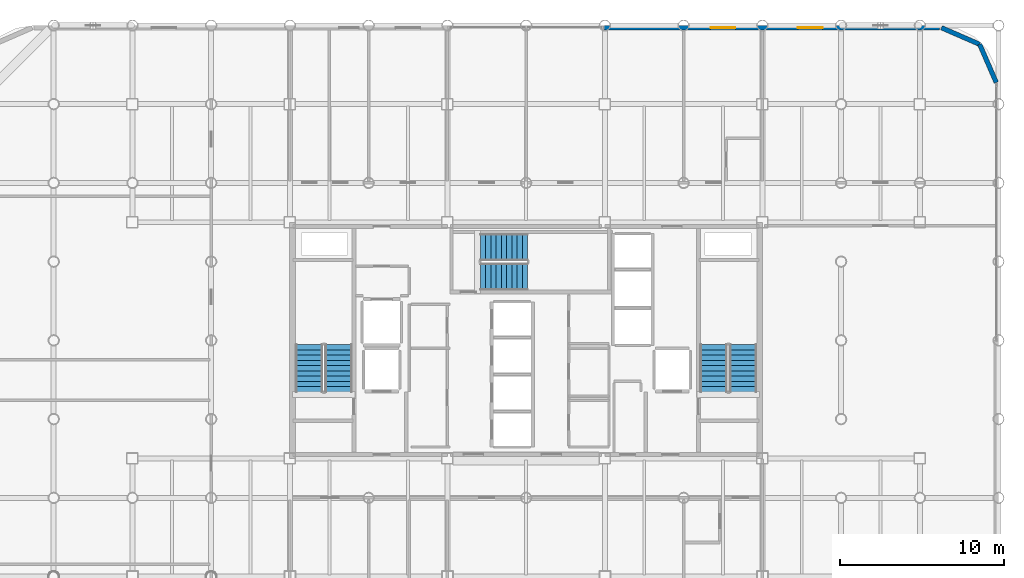
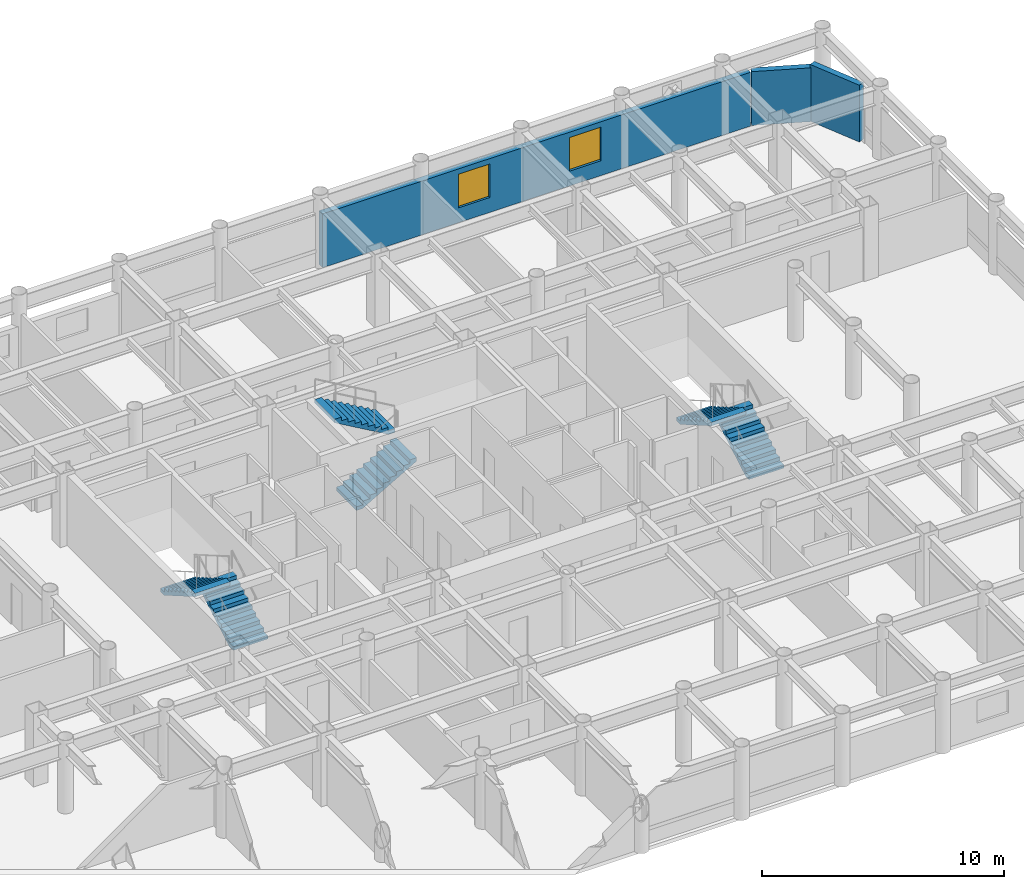
# One storey, part 19 of 20: 6 stair flights, 3 walls, 2 windows, 2 openings, 3 elements without a shape of their own.
"""IFC4 building model written with IfcOpenShell, lengths in metres."""

from ifc_helpers import new_model, si_unit, direction, frame, frame_2d, origin, place, context, subcontext, project, spatial, polyline, rectangle, outline, extrude, material, layer, layer_set, type_object, element, fill, aggregate, save


model = new_model("IFC4")

# Units and contexts
model_context = context("Model", 3, precision=1e-05, world=origin(), true_north=direction((0.0, 1.0)))
body_context = subcontext(model_context, "Body", "Model", "MODEL_VIEW")
ifc_project = project(units=[si_unit("LENGTHUNIT", "METRE"), si_unit("AREAUNIT", "SQUARE_METRE"), si_unit("VOLUMEUNIT", "CUBIC_METRE"), si_unit("PLANEANGLEUNIT", "RADIAN"), si_unit("MASSUNIT", "GRAM", prefix="KILO")], contexts=[model_context])

# Site, building, storey
site_placement = place(None, origin())
site = spatial("IfcSite", under=ifc_project, at=site_placement, CompositionType="ELEMENT")
building_placement = place(site_placement, origin())
building = spatial("IfcBuilding", under=site, at=building_placement, Name="Kallvorn Hotel Tower", CompositionType="ELEMENT")
storey_placement = place(building_placement, frame((0.0, 0.0, 172.89990234375)))
storey = spatial("IfcBuildingStorey", under=building, at=storey_placement, Name="L43", CompositionType="ELEMENT", Elevation=172.89990234375)

# Walls
ifc_material_1 = material(Name="Precast basalt-clad insulated concrete wall C40/50", Category="masonry")
ifc_layer = layer(ifc_material_1, 0.280029296875)
ifc_layer_set = layer_set([ifc_layer], Name="WL_EXT_LOGGIA_280")
wall_type = type_object("IfcWallType", Name="WL_EXT_LOGGIA_280", PredefinedType="SOLIDWALL", material=ifc_layer_set)
wall_1_placement = place(storey_placement, frame((28.657958984375, 15.720703125, 0.0), z_axis=(0.0, 0.0, 1.0), x_axis=(-0.398792985289, 0.917040977756, 0.0)))
element("IfcWall", 1, at=wall_1_placement, inside=storey, type_object=wall_type, Name="L43 Rounded Corner Exterior Wall NE1", PredefinedType="SOLIDWALL", context=body_context, shape_type="SweptSolid", body=[
    extrude(rectangle(XDim=2.536376953125, YDim=0.280029296875, at=frame_2d((1.26806640625, 0.0))), origin(), (0.0, 0.0, 1.0), 2.8701171875),
])
wall_2_placement = place(storey_placement, frame((27.646484375, 18.046630859375, 0.0), z_axis=(0.0, 0.0, 1.0), x_axis=(-0.917060872934, 0.398747232384, 0.0)))
element("IfcWall", 2, at=wall_2_placement, inside=storey, type_object=wall_type, Name="L43 Rounded Corner Exterior Wall NE2", PredefinedType="SOLIDWALL", context=body_context, shape_type="SweptSolid", body=[
    extrude(rectangle(XDim=2.5361328125, YDim=0.280029296875, at=frame_2d((1.26806640625, 0.0))), origin(), (0.0, 0.0, 1.0), 2.72021484375),
])

# Wall, openings, windows
wall_3_placement = place(storey_placement, frame((4.75, 19.06005859375, 0.0), z_axis=(0.0, 0.0, 1.0), x_axis=(1.0, 0.0, 0.0)))
wall_3 = element("IfcWall", 3, at=wall_3_placement, inside=storey, type_object=wall_type, Name="L43 Exterior Envelope Wall EW-L43-NE", PredefinedType="SOLIDWALL", context=body_context, shape_type="SweptSolid", body=[
    extrude(rectangle(XDim=20.449951171875, YDim=0.280029296875, at=frame_2d((10.22509765625, 0.0))), origin(), (0.0, 0.0, 1.0), 2.72021484375),
])
opening_1_placement = place(wall_3_placement, frame((11.81689453125, 0.0, 0.75)))
opening_1 = element("IfcOpeningElement", 4, at=opening_1_placement, cuts=wall_3, Name="Opening W05", PredefinedType="OPENING", context=body_context, shape_type="SweptSolid", body=[
    extrude(rectangle(XDim=1.5, YDim=1.699951171875, at=frame_2d((0.75, 0.85009765625))), frame((0.0, 0.155029296875, 0.0), z_axis=(0.0, -1.0, 0.0), x_axis=(1.0, 0.0, 0.0)), (0.0, 0.0, 1.0), 0.31005859375),
])
opening_2_placement = place(wall_3_placement, frame((6.5, 0.0, 0.75)))
opening_2 = element("IfcOpeningElement", 5, at=opening_2_placement, cuts=wall_3, Name="Opening W05", PredefinedType="OPENING", context=body_context, shape_type="SweptSolid", body=[
    extrude(rectangle(XDim=1.5, YDim=1.699951171875, at=frame_2d((0.75, 0.85009765625))), frame((0.0, 0.155029296875, 0.0), z_axis=(0.0, -1.0, 0.0), x_axis=(1.0, 0.0, 0.0)), (0.0, 0.0, 1.0), 0.31005859375),
])
ifc_material_2 = material(Name="Double-glazed low-e solar-control dark glass", Category="glass")
window_type = type_object("IfcWindowType", Name="WN_HTL_1500x1700", PartitioningType="SINGLE_PANEL", PredefinedType="WINDOW", material=ifc_material_2)
window_1_placement = place(opening_1_placement, origin())
window_1 = element("IfcWindow", 6, at=window_1_placement, inside=storey, type_object=window_type, Name="L43 Guestroom Exterior Window 04", OverallHeight=1.699951171875, OverallWidth=1.5, PartitioningType="SINGLE_PANEL", PredefinedType="WINDOW", context=body_context, shape_type="SweptSolid", body=[
    extrude(rectangle(XDim=1.5, YDim=1.699951171875, at=frame_2d((0.75, 0.85009765625))), frame((0.0, 0.030029296875, 0.0), z_axis=(0.0, -1.0, 0.0), x_axis=(1.0, 0.0, 0.0)), (0.0, 0.0, 1.0), 0.06005859375),
])
fill(opening_1, window_1)
window_2_placement = place(opening_2_placement, origin())
window_2 = element("IfcWindow", 7, at=window_2_placement, inside=storey, type_object=window_type, Name="L43 Guestroom Exterior Window 11", OverallHeight=1.699951171875, OverallWidth=1.5, PartitioningType="SINGLE_PANEL", PredefinedType="WINDOW", context=body_context, shape_type="SweptSolid", body=[
    extrude(rectangle(XDim=1.5, YDim=1.699951171875, at=frame_2d((0.75, 0.85009765625))), frame((0.0, 0.030029296875, 0.0), z_axis=(0.0, -1.0, 0.0), x_axis=(1.0, 0.0, 0.0)), (0.0, 0.0, 1.0), 0.06005859375),
])
fill(opening_2, window_2)

# Stair, stair flights
ifc_material_3 = material(Name="Precast concrete C40/50", Category="concrete")
stair_type = type_object("IfcStairType", Name="STR_CORE_DOGLEG", PredefinedType="HALF_TURN_STAIR", material=ifc_material_3)
stair_1_placement = place(storey_placement, origin())
stair_1 = element("IfcStair", 8, at=stair_1_placement, inside=storey, type_object=stair_type, Name="L43 Exit stair ST1", PredefinedType="HALF_TURN_STAIR")
ifc_material_4 = material(Name="Precast concrete C40/50", Category="concrete")
stair_flight_type = type_object("IfcStairFlightType", Name="FLT_CORE_1660", PredefinedType="STRAIGHT", material=ifc_material_4)
stair_flight_1_placement = place(storey_placement, frame((-11.429931640625, -3.139892578125, 0.0), z_axis=(0.0, 0.0, 1.0), x_axis=(0.0, 1.0, 0.0)))
stair_flight_1 = element("IfcStairFlight", 9, at=stair_flight_1_placement, type_object=stair_flight_type, Name="ST1 flight 1", NumberOfRisers=10, NumberOfTreads=9, PredefinedType="STRAIGHT", RiserHeight=0.185, TreadLength=0.32, context=body_context, shape_type="SweptSolid", body=[
    extrude(outline(polyline([(0.0, 0.0), (0.0, 0.18505859375), (0.320068359375, 0.18505859375), (0.320068359375, 0.3701171875), (0.639892578125, 0.3701171875), (0.639892578125, 0.554931640625), (0.9599609375, 0.554931640625), (0.9599609375, 0.739990234375), (1.280029296875, 0.739990234375), (1.280029296875, 0.925048828125), (1.60009765625, 0.925048828125), (1.60009765625, 1.110107421875), (1.919921875, 1.110107421875), (1.919921875, 1.294921875), (2.239990234375, 1.294921875), (2.239990234375, 1.47998046875), (2.56005859375, 1.47998046875), (2.56005859375, 1.6650390625), (2.8798828125, 1.6650390625), (2.8798828125, 1.85009765625), (2.8798828125, 1.491943359375), (0.299560546875, 0.0), (0.0, 0.0)])), frame((0.0, 0.830078125, 0.0), z_axis=(0.0, -1.0, 0.0), x_axis=(1.0, 0.0, 0.0)), (0.0, 0.0, 1.0), 1.659912109375),
])
stair_flight_2_placement = place(storey_placement, frame((-13.22998046875, -0.260009765625, 1.85009765625), z_axis=(0.0, 0.0, 1.0), x_axis=(0.0, -1.0, 0.0)))
stair_flight_2 = element("IfcStairFlight", 10, at=stair_flight_2_placement, type_object=stair_flight_type, Name="ST1 flight 2", NumberOfRisers=10, NumberOfTreads=9, PredefinedType="STRAIGHT", RiserHeight=0.185, TreadLength=0.32, context=body_context, shape_type="SweptSolid", body=[
    extrude(outline(polyline([(0.0, 0.0), (0.0, 0.18505859375), (0.320068359375, 0.18505859375), (0.320068359375, 0.3701171875), (0.639892578125, 0.3701171875), (0.639892578125, 0.554931640625), (0.9599609375, 0.554931640625), (0.9599609375, 0.739990234375), (1.280029296875, 0.739990234375), (1.280029296875, 0.925048828125), (1.60009765625, 0.925048828125), (1.60009765625, 1.110107421875), (1.919921875, 1.110107421875), (1.919921875, 1.294921875), (2.239990234375, 1.294921875), (2.239990234375, 1.47998046875), (2.56005859375, 1.47998046875), (2.56005859375, 1.6650390625), (2.8798828125, 1.6650390625), (2.8798828125, 1.85009765625), (2.8798828125, 1.491943359375), (0.299560546875, 0.0), (0.0, 0.0)])), frame((0.0, 0.830078125, 0.0), z_axis=(0.0, -1.0, 0.0), x_axis=(1.0, 0.0, 0.0)), (0.0, 0.0, 1.0), 1.659912109375),
])
aggregate(stair_1, [stair_flight_1, stair_flight_2])

stair_2_placement = place(storey_placement, origin())
stair_2 = element("IfcStair", 11, at=stair_2_placement, inside=storey, type_object=stair_type, Name="L43 Exit stair ST2", PredefinedType="HALF_TURN_STAIR")
stair_flight_3_placement = place(storey_placement, frame((13.22998046875, -3.139892578125, 0.0), z_axis=(0.0, 0.0, 1.0), x_axis=(0.0, 1.0, 0.0)))
stair_flight_3 = element("IfcStairFlight", 12, at=stair_flight_3_placement, type_object=stair_flight_type, Name="ST2 flight 1", NumberOfRisers=10, NumberOfTreads=9, PredefinedType="STRAIGHT", RiserHeight=0.185, TreadLength=0.32, context=body_context, shape_type="SweptSolid", body=[
    extrude(outline(polyline([(0.0, 0.0), (0.0, 0.18505859375), (0.320068359375, 0.18505859375), (0.320068359375, 0.3701171875), (0.639892578125, 0.3701171875), (0.639892578125, 0.554931640625), (0.9599609375, 0.554931640625), (0.9599609375, 0.739990234375), (1.280029296875, 0.739990234375), (1.280029296875, 0.925048828125), (1.60009765625, 0.925048828125), (1.60009765625, 1.110107421875), (1.919921875, 1.110107421875), (1.919921875, 1.294921875), (2.239990234375, 1.294921875), (2.239990234375, 1.47998046875), (2.56005859375, 1.47998046875), (2.56005859375, 1.6650390625), (2.8798828125, 1.6650390625), (2.8798828125, 1.85009765625), (2.8798828125, 1.491943359375), (0.299560546875, 0.0), (0.0, 0.0)])), frame((0.0, 0.830078125, 0.0), z_axis=(0.0, -1.0, 0.0), x_axis=(1.0, 0.0, 0.0)), (0.0, 0.0, 1.0), 1.659912109375),
])
stair_flight_4_placement = place(storey_placement, frame((11.429931640625, -0.260009765625, 1.85009765625), z_axis=(0.0, 0.0, 1.0), x_axis=(0.0, -1.0, 0.0)))
stair_flight_4 = element("IfcStairFlight", 13, at=stair_flight_4_placement, type_object=stair_flight_type, Name="ST2 flight 2", NumberOfRisers=10, NumberOfTreads=9, PredefinedType="STRAIGHT", RiserHeight=0.185, TreadLength=0.32, context=body_context, shape_type="SweptSolid", body=[
    extrude(outline(polyline([(0.0, 0.0), (0.0, 0.18505859375), (0.320068359375, 0.18505859375), (0.320068359375, 0.3701171875), (0.639892578125, 0.3701171875), (0.639892578125, 0.554931640625), (0.9599609375, 0.554931640625), (0.9599609375, 0.739990234375), (1.280029296875, 0.739990234375), (1.280029296875, 0.925048828125), (1.60009765625, 0.925048828125), (1.60009765625, 1.110107421875), (1.919921875, 1.110107421875), (1.919921875, 1.294921875), (2.239990234375, 1.294921875), (2.239990234375, 1.47998046875), (2.56005859375, 1.47998046875), (2.56005859375, 1.6650390625), (2.8798828125, 1.6650390625), (2.8798828125, 1.85009765625), (2.8798828125, 1.491943359375), (0.299560546875, 0.0), (0.0, 0.0)])), frame((0.0, 0.830078125, 0.0), z_axis=(0.0, -1.0, 0.0), x_axis=(1.0, 0.0, 0.0)), (0.0, 0.0, 1.0), 1.659912109375),
])
aggregate(stair_2, [stair_flight_3, stair_flight_4])

stair_3_placement = place(storey_placement, origin())
stair_3 = element("IfcStair", 14, at=stair_3_placement, inside=storey, type_object=stair_type, Name="L43 Exit stair ST3", PredefinedType="HALF_TURN_STAIR")
stair_flight_5_placement = place(storey_placement, frame((-2.7900390625, 3.8798828125, 0.0), z_axis=(0.0, 0.0, 1.0), x_axis=(1.0, 0.0, 0.0)))
stair_flight_5 = element("IfcStairFlight", 15, at=stair_flight_5_placement, type_object=stair_flight_type, Name="ST3 flight 1", NumberOfRisers=10, NumberOfTreads=9, PredefinedType="STRAIGHT", RiserHeight=0.185, TreadLength=0.32, context=body_context, shape_type="SweptSolid", body=[
    extrude(outline(polyline([(0.0, 0.0), (0.0, 0.18505859375), (0.320068359375, 0.18505859375), (0.320068359375, 0.3701171875), (0.639892578125, 0.3701171875), (0.639892578125, 0.554931640625), (0.9599609375, 0.554931640625), (0.9599609375, 0.739990234375), (1.280029296875, 0.739990234375), (1.280029296875, 0.925048828125), (1.60009765625, 0.925048828125), (1.60009765625, 1.110107421875), (1.919921875, 1.110107421875), (1.919921875, 1.294921875), (2.239990234375, 1.294921875), (2.239990234375, 1.47998046875), (2.56005859375, 1.47998046875), (2.56005859375, 1.6650390625), (2.8798828125, 1.6650390625), (2.8798828125, 1.85009765625), (2.8798828125, 1.491943359375), (0.299560546875, 0.0), (0.0, 0.0)])), frame((0.0, 0.830078125, 0.0), z_axis=(0.0, -1.0, 0.0), x_axis=(1.0, 0.0, 0.0)), (0.0, 0.0, 1.0), 1.659912109375),
])
stair_flight_6_placement = place(storey_placement, frame((0.090087890625, 5.679931640625, 1.85009765625), z_axis=(0.0, 0.0, 1.0), x_axis=(-1.0, 0.0, 0.0)))
stair_flight_6 = element("IfcStairFlight", 16, at=stair_flight_6_placement, type_object=stair_flight_type, Name="ST3 flight 2", NumberOfRisers=10, NumberOfTreads=9, PredefinedType="STRAIGHT", RiserHeight=0.185, TreadLength=0.32, context=body_context, shape_type="SweptSolid", body=[
    extrude(outline(polyline([(0.0, 0.0), (0.0, 0.18505859375), (0.320068359375, 0.18505859375), (0.320068359375, 0.3701171875), (0.639892578125, 0.3701171875), (0.639892578125, 0.554931640625), (0.9599609375, 0.554931640625), (0.9599609375, 0.739990234375), (1.280029296875, 0.739990234375), (1.280029296875, 0.925048828125), (1.60009765625, 0.925048828125), (1.60009765625, 1.110107421875), (1.919921875, 1.110107421875), (1.919921875, 1.294921875), (2.239990234375, 1.294921875), (2.239990234375, 1.47998046875), (2.56005859375, 1.47998046875), (2.56005859375, 1.6650390625), (2.8798828125, 1.6650390625), (2.8798828125, 1.85009765625), (2.8798828125, 1.491943359375), (0.299560546875, 0.0), (0.0, 0.0)])), frame((0.0, 0.830078125, 0.0), z_axis=(0.0, -1.0, 0.0), x_axis=(1.0, 0.0, 0.0)), (0.0, 0.0, 1.0), 1.659912109375),
])
aggregate(stair_3, [stair_flight_5, stair_flight_6])

save(model, "model.ifc")
